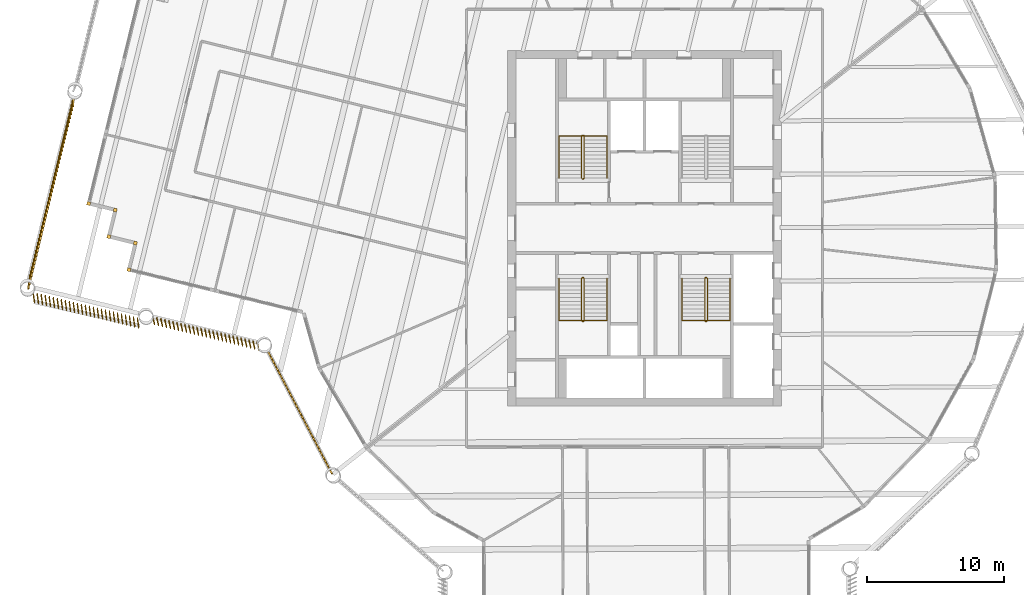
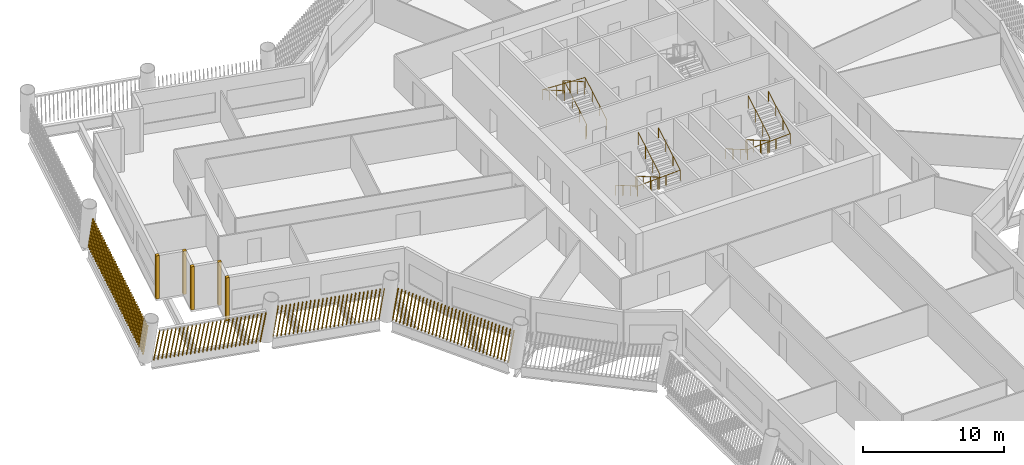
# One storey, part 12 of 15: 9 shading devices, 6 railings.
"""IFC4 building model written with IfcOpenShell, lengths in metres."""

from ifc_helpers import new_model, si_unit, direction, frame, frame_2d, origin, origin_2d, place, context, subcontext, project, spatial, rectangle, circle, composite_profile, extrude, material, type_object, element, save


model = new_model("IFC4")

# Units and contexts
model_context = context("Model", 3, precision=1e-05, world=origin(), true_north=direction((0.0, 1.0)))
body_context = subcontext(model_context, "Body", "Model", "MODEL_VIEW")
ifc_project = project(units=[si_unit("LENGTHUNIT", "METRE"), si_unit("AREAUNIT", "SQUARE_METRE"), si_unit("VOLUMEUNIT", "CUBIC_METRE"), si_unit("PLANEANGLEUNIT", "RADIAN"), si_unit("MASSUNIT", "GRAM", prefix="KILO")], contexts=[model_context])

# Site, building, storey
site_placement = place(None, origin())
site = spatial("IfcSite", under=ifc_project, at=site_placement, CompositionType="ELEMENT")
building_placement = place(site_placement, origin())
building = spatial("IfcBuilding", under=site, at=building_placement, Name="Tarsis Ring Headquarters", CompositionType="ELEMENT")
storey_placement = place(building_placement, frame((0.0, 0.0, 227.699951171875)))
storey = spatial("IfcBuildingStorey", under=building, at=storey_placement, Name="L53", CompositionType="ELEMENT", Elevation=227.699951171875)

# Railings
ifc_material_1 = material(Name="Steel S355", Category="steel")
railing_type_1 = type_object("IfcRailingType", Name="Core stair guard 1100", PredefinedType="GUARDRAIL", material=ifc_material_1)
railing_1_placement = place(storey_placement, frame((-4.5400390625, 3.610107421875, 0.0)))
element("IfcRailing", 1, at=railing_1_placement, inside=storey, type_object=railing_type_1, Name="L53 ST1 stair guard 1", PredefinedType="GUARDRAIL", context=body_context, shape_type="SweptSolid", body=[
    extrude(circle(Radius=0.02392578125, at=origin_2d()), frame((0.0, 0.0, 1.076171875), z_axis=(1.0, 0.0, 0.0), x_axis=(0.0, 1.0, 0.0)), (0.0, 0.0, 1.0), 0.080078125),
    extrude(circle(Radius=0.02392578125, at=origin_2d()), frame((0.080078125, 0.0, 1.076171875), z_axis=(0.282336740067, 0.280959487676, 0.917250092119), x_axis=(-0.705375805398, 0.708833529934, 0.0)), (0.0, 0.0, 1.0), 0.17724609375),
    extrude(circle(Radius=0.02392578125, at=origin_2d()), frame((0.130126953125, 0.0498046875, 1.23876953125), z_axis=(0.0, 0.864920483161, 0.501908913857), x_axis=(-1.0, 0.0, 0.0)), (0.0, 0.0, 1.0), 3.56103515625),
    extrude(circle(Radius=0.02392578125, at=origin_2d()), frame((0.130126953125, 3.1298828125, 3.02587890625), z_axis=(-0.707106781187, 0.707106781187, 0.0), x_axis=(-0.707106781187, -0.707106781187, 0.0)), (0.0, 0.0, 1.0), 0.07080078125),
    extrude(circle(Radius=0.02392578125, at=origin_2d()), frame((0.080078125, 3.179931640625, 3.02587890625), z_axis=(-1.0, 0.0, 0.0), x_axis=(0.0, -1.0, 0.0)), (0.0, 0.0, 1.0), 0.080078125),
    extrude(circle(Radius=0.02392578125, at=origin_2d()), frame((0.0, 3.179931640625, 3.02587890625), z_axis=(-0.282227285176, -0.282227285176, 0.916894497205), x_axis=(0.707106781187, -0.707106781187, 0.0)), (0.0, 0.0, 1.0), 0.17724609375),
    extrude(circle(Radius=0.02392578125, at=origin_2d()), frame((-0.050048828125, 3.1298828125, 3.1884765625), z_axis=(0.0, -0.864890721111, 0.501960198159), x_axis=(1.0, 0.0, 0.0)), (0.0, 0.0, 1.0), 3.561279296875),
    extrude(circle(Radius=0.02099609375, at=origin_2d()), origin(), (0.0, 0.0, 1.0), 1.052001953125),
    extrude(circle(Radius=0.02099609375, at=origin_2d()), frame((0.080078125, 0.0, 0.0)), (0.0, 0.0, 1.0), 1.052001953125),
    extrude(circle(Radius=0.02099609375, at=origin_2d()), frame((0.130126953125, 0.0498046875, 0.16259765625)), (0.0, 0.0, 1.0), 1.052001953125),
    extrude(circle(Radius=0.02099609375, at=origin_2d()), frame((0.130126953125, 1.076416015625, 0.75830078125)), (0.0, 0.0, 1.0), 1.052001953125),
    extrude(circle(Radius=0.02099609375, at=origin_2d()), frame((0.130126953125, 2.103271484375, 1.354248046875)), (0.0, 0.0, 1.0), 1.052001953125),
    extrude(circle(Radius=0.02099609375, at=origin_2d()), frame((0.130126953125, 3.1298828125, 1.949951171875)), (0.0, 0.0, 1.0), 1.052001953125),
    extrude(circle(Radius=0.02099609375, at=origin_2d()), frame((0.080078125, 3.179931640625, 1.949951171875)), (0.0, 0.0, 1.0), 1.052001953125),
    extrude(circle(Radius=0.02099609375, at=origin_2d()), frame((0.0, 3.179931640625, 1.949951171875)), (0.0, 0.0, 1.0), 1.052001953125),
    extrude(circle(Radius=0.02099609375, at=origin_2d()), frame((-0.050048828125, 3.1298828125, 2.112548828125)), (0.0, 0.0, 1.0), 1.052001953125),
    extrude(circle(Radius=0.02099609375, at=origin_2d()), frame((-0.050048828125, 2.103271484375, 2.70849609375)), (0.0, 0.0, 1.0), 1.052001953125),
    extrude(circle(Radius=0.02099609375, at=origin_2d()), frame((-0.050048828125, 1.076416015625, 3.30419921875)), (0.0, 0.0, 1.0), 1.052001953125),
    extrude(circle(Radius=0.02099609375, at=origin_2d()), frame((-0.050048828125, 0.0498046875, 3.900146484375)), (0.0, 0.0, 1.0), 1.052001953125),
])
railing_2_placement = place(storey_placement, frame((-4.4599609375, -3.610107421875, 0.0)))
element("IfcRailing", 2, at=railing_2_placement, inside=storey, type_object=railing_type_1, Name="L53 ST3 stair guard 1", PredefinedType="GUARDRAIL", context=body_context, shape_type="SweptSolid", body=[
    extrude(circle(Radius=0.02392578125, at=origin_2d()), frame((0.0, 0.0, 1.076171875), z_axis=(-1.0, 0.0, 0.0), x_axis=(0.0, -1.0, 0.0)), (0.0, 0.0, 1.0), 0.080078125),
    extrude(circle(Radius=0.02392578125, at=origin_2d()), frame((-0.080078125, 0.0, 1.076171875), z_axis=(-0.282336740067, -0.280959487676, 0.917250092119), x_axis=(0.705375805398, -0.708833529934, 0.0)), (0.0, 0.0, 1.0), 0.17724609375),
    extrude(circle(Radius=0.02392578125, at=origin_2d()), frame((-0.130126953125, -0.0498046875, 1.23876953125), z_axis=(0.0, -0.864920483161, 0.501908913857), x_axis=(1.0, 0.0, 0.0)), (0.0, 0.0, 1.0), 3.56103515625),
    extrude(circle(Radius=0.02392578125, at=origin_2d()), frame((-0.130126953125, -3.1298828125, 3.02587890625), z_axis=(0.707106781187, -0.707106781187, 0.0), x_axis=(0.707106781187, 0.707106781187, 0.0)), (0.0, 0.0, 1.0), 0.07080078125),
    extrude(circle(Radius=0.02392578125, at=origin_2d()), frame((-0.080078125, -3.179931640625, 3.02587890625), z_axis=(1.0, 0.0, 0.0), x_axis=(0.0, 1.0, 0.0)), (0.0, 0.0, 1.0), 0.080078125),
    extrude(circle(Radius=0.02392578125, at=origin_2d()), frame((0.0, -3.179931640625, 3.02587890625), z_axis=(0.282227285176, 0.282227285176, 0.916894497205), x_axis=(-0.707106781187, 0.707106781187, 0.0)), (0.0, 0.0, 1.0), 0.17724609375),
    extrude(circle(Radius=0.02392578125, at=origin_2d()), frame((0.050048828125, -3.1298828125, 3.1884765625), z_axis=(0.0, 0.864890721111, 0.501960198159), x_axis=(-1.0, 0.0, 0.0)), (0.0, 0.0, 1.0), 3.561279296875),
    extrude(circle(Radius=0.02099609375, at=origin_2d()), origin(), (0.0, 0.0, 1.0), 1.052001953125),
    extrude(circle(Radius=0.02099609375, at=origin_2d()), frame((-0.080078125, 0.0, 0.0)), (0.0, 0.0, 1.0), 1.052001953125),
    extrude(circle(Radius=0.02099609375, at=origin_2d()), frame((-0.130126953125, -0.0498046875, 0.16259765625)), (0.0, 0.0, 1.0), 1.052001953125),
    extrude(circle(Radius=0.02099609375, at=origin_2d()), frame((-0.130126953125, -1.076416015625, 0.75830078125)), (0.0, 0.0, 1.0), 1.052001953125),
    extrude(circle(Radius=0.02099609375, at=origin_2d()), frame((-0.130126953125, -2.103271484375, 1.354248046875)), (0.0, 0.0, 1.0), 1.052001953125),
    extrude(circle(Radius=0.02099609375, at=origin_2d()), frame((-0.130126953125, -3.1298828125, 1.949951171875)), (0.0, 0.0, 1.0), 1.052001953125),
    extrude(circle(Radius=0.02099609375, at=origin_2d()), frame((-0.080078125, -3.179931640625, 1.949951171875)), (0.0, 0.0, 1.0), 1.052001953125),
    extrude(circle(Radius=0.02099609375, at=origin_2d()), frame((0.0, -3.179931640625, 1.949951171875)), (0.0, 0.0, 1.0), 1.052001953125),
    extrude(circle(Radius=0.02099609375, at=origin_2d()), frame((0.050048828125, -3.1298828125, 2.112548828125)), (0.0, 0.0, 1.0), 1.052001953125),
    extrude(circle(Radius=0.02099609375, at=origin_2d()), frame((0.050048828125, -2.103271484375, 2.70849609375)), (0.0, 0.0, 1.0), 1.052001953125),
    extrude(circle(Radius=0.02099609375, at=origin_2d()), frame((0.050048828125, -1.076416015625, 3.30419921875)), (0.0, 0.0, 1.0), 1.052001953125),
    extrude(circle(Radius=0.02099609375, at=origin_2d()), frame((0.050048828125, -0.0498046875, 3.900146484375)), (0.0, 0.0, 1.0), 1.052001953125),
])
railing_3_placement = place(storey_placement, frame((4.5400390625, -3.610107421875, 0.0)))
element("IfcRailing", 3, at=railing_3_placement, inside=storey, type_object=railing_type_1, Name="L53 ST4 stair guard 1", PredefinedType="GUARDRAIL", context=body_context, shape_type="SweptSolid", body=[
    extrude(circle(Radius=0.02392578125, at=origin_2d()), frame((0.0, 0.0, 1.076171875), z_axis=(-1.0, 0.0, 0.0), x_axis=(0.0, -1.0, 0.0)), (0.0, 0.0, 1.0), 0.080078125),
    extrude(circle(Radius=0.02392578125, at=origin_2d()), frame((-0.080078125, 0.0, 1.076171875), z_axis=(-0.282336740067, -0.280959487676, 0.917250092119), x_axis=(0.705375805398, -0.708833529934, 0.0)), (0.0, 0.0, 1.0), 0.17724609375),
    extrude(circle(Radius=0.02392578125, at=origin_2d()), frame((-0.130126953125, -0.0498046875, 1.23876953125), z_axis=(0.0, -0.864920483161, 0.501908913857), x_axis=(1.0, 0.0, 0.0)), (0.0, 0.0, 1.0), 3.56103515625),
    extrude(circle(Radius=0.02392578125, at=origin_2d()), frame((-0.130126953125, -3.1298828125, 3.02587890625), z_axis=(0.707106781187, -0.707106781187, 0.0), x_axis=(0.707106781187, 0.707106781187, 0.0)), (0.0, 0.0, 1.0), 0.07080078125),
    extrude(circle(Radius=0.02392578125, at=origin_2d()), frame((-0.080078125, -3.179931640625, 3.02587890625), z_axis=(1.0, 0.0, 0.0), x_axis=(0.0, 1.0, 0.0)), (0.0, 0.0, 1.0), 0.080078125),
    extrude(circle(Radius=0.02392578125, at=origin_2d()), frame((0.0, -3.179931640625, 3.02587890625), z_axis=(0.282227285176, 0.282227285176, 0.916894497205), x_axis=(-0.707106781187, 0.707106781187, 0.0)), (0.0, 0.0, 1.0), 0.17724609375),
    extrude(circle(Radius=0.02392578125, at=origin_2d()), frame((0.050048828125, -3.1298828125, 3.1884765625), z_axis=(0.0, 0.864890721111, 0.501960198159), x_axis=(-1.0, 0.0, 0.0)), (0.0, 0.0, 1.0), 3.561279296875),
    extrude(circle(Radius=0.02099609375, at=origin_2d()), origin(), (0.0, 0.0, 1.0), 1.052001953125),
    extrude(circle(Radius=0.02099609375, at=origin_2d()), frame((-0.080078125, 0.0, 0.0)), (0.0, 0.0, 1.0), 1.052001953125),
    extrude(circle(Radius=0.02099609375, at=origin_2d()), frame((-0.130126953125, -0.0498046875, 0.16259765625)), (0.0, 0.0, 1.0), 1.052001953125),
    extrude(circle(Radius=0.02099609375, at=origin_2d()), frame((-0.130126953125, -1.076416015625, 0.75830078125)), (0.0, 0.0, 1.0), 1.052001953125),
    extrude(circle(Radius=0.02099609375, at=origin_2d()), frame((-0.130126953125, -2.103271484375, 1.354248046875)), (0.0, 0.0, 1.0), 1.052001953125),
    extrude(circle(Radius=0.02099609375, at=origin_2d()), frame((-0.130126953125, -3.1298828125, 1.949951171875)), (0.0, 0.0, 1.0), 1.052001953125),
    extrude(circle(Radius=0.02099609375, at=origin_2d()), frame((-0.080078125, -3.179931640625, 1.949951171875)), (0.0, 0.0, 1.0), 1.052001953125),
    extrude(circle(Radius=0.02099609375, at=origin_2d()), frame((0.0, -3.179931640625, 1.949951171875)), (0.0, 0.0, 1.0), 1.052001953125),
    extrude(circle(Radius=0.02099609375, at=origin_2d()), frame((0.050048828125, -3.1298828125, 2.112548828125)), (0.0, 0.0, 1.0), 1.052001953125),
    extrude(circle(Radius=0.02099609375, at=origin_2d()), frame((0.050048828125, -2.103271484375, 2.70849609375)), (0.0, 0.0, 1.0), 1.052001953125),
    extrude(circle(Radius=0.02099609375, at=origin_2d()), frame((0.050048828125, -1.076416015625, 3.30419921875)), (0.0, 0.0, 1.0), 1.052001953125),
    extrude(circle(Radius=0.02099609375, at=origin_2d()), frame((0.050048828125, -0.0498046875, 3.900146484375)), (0.0, 0.0, 1.0), 1.052001953125),
])
railing_type_2 = type_object("IfcRailingType", Name="Core stair handrail 900", PredefinedType="HANDRAIL", material=ifc_material_1)
railing_4_placement = place(storey_placement, frame((-2.75, 3.659912109375, 0.16259765625)))
element("IfcRailing", 4, at=railing_4_placement, inside=storey, type_object=railing_type_2, Name="L53 ST1 stair handrail 1", PredefinedType="HANDRAIL", context=body_context, shape_type="SweptSolid", body=[
    extrude(circle(Radius=0.02392578125, at=origin_2d()), frame((0.0, 0.0, 0.8759765625), z_axis=(0.0, 0.864920483161, 0.501908913857), x_axis=(-1.0, 0.0, 0.0)), (0.0, 0.0, 1.0), 3.56103515625),
    extrude(circle(Radius=0.02392578125, at=origin_2d()), frame((0.0, 3.080078125, 2.6630859375), z_axis=(-0.998922641604, 0.0, 0.046406422943), x_axis=(0.0, -1.0, 0.0)), (0.0, 0.0, 1.0), 3.503662109375),
    extrude(circle(Radius=0.02392578125, at=origin_2d()), frame((-3.5, 3.080078125, 2.82568359375), z_axis=(0.0, -0.864890721111, 0.501960198159), x_axis=(1.0, 0.0, 0.0)), (0.0, 0.0, 1.0), 3.561279296875),
    extrude(circle(Radius=0.02099609375, at=origin_2d()), origin(), (0.0, 0.0, 1.0), 0.851806640625),
    extrude(circle(Radius=0.02099609375, at=origin_2d()), frame((0.0, 1.026611328125, 0.595703125)), (0.0, 0.0, 1.0), 0.851806640625),
    extrude(circle(Radius=0.02099609375, at=origin_2d()), frame((0.0, 2.053466796875, 1.191650390625)), (0.0, 0.0, 1.0), 0.851806640625),
    extrude(circle(Radius=0.02099609375, at=origin_2d()), frame((0.0, 3.080078125, 1.787353515625)), (0.0, 0.0, 1.0), 0.851806640625),
    extrude(circle(Radius=0.02099609375, at=origin_2d()), frame((-1.166748046875, 3.080078125, 1.841552734375)), (0.0, 0.0, 1.0), 0.851806640625),
    extrude(circle(Radius=0.02099609375, at=origin_2d()), frame((-2.333251953125, 3.080078125, 1.895751953125)), (0.0, 0.0, 1.0), 0.851806640625),
    extrude(circle(Radius=0.02099609375, at=origin_2d()), frame((-3.5, 3.080078125, 1.949951171875)), (0.0, 0.0, 1.0), 0.851806640625),
    extrude(circle(Radius=0.02099609375, at=origin_2d()), frame((-3.5, 2.053466796875, 2.5458984375)), (0.0, 0.0, 1.0), 0.851806640625),
    extrude(circle(Radius=0.02099609375, at=origin_2d()), frame((-3.5, 1.026611328125, 3.1416015625)), (0.0, 0.0, 1.0), 0.851806640625),
    extrude(circle(Radius=0.02099609375, at=origin_2d()), frame((-3.5, 0.0, 3.737548828125)), (0.0, 0.0, 1.0), 0.851806640625),
])
railing_5_placement = place(storey_placement, frame((-6.25, -3.659912109375, 0.16259765625)))
element("IfcRailing", 5, at=railing_5_placement, inside=storey, type_object=railing_type_2, Name="L53 ST3 stair handrail 1", PredefinedType="HANDRAIL", context=body_context, shape_type="SweptSolid", body=[
    extrude(circle(Radius=0.02392578125, at=origin_2d()), frame((0.0, 0.0, 0.8759765625), z_axis=(0.0, -0.864920483161, 0.501908913857), x_axis=(1.0, 0.0, 0.0)), (0.0, 0.0, 1.0), 3.56103515625),
    extrude(circle(Radius=0.02392578125, at=origin_2d()), frame((0.0, -3.080078125, 2.6630859375), z_axis=(0.998922641604, 0.0, 0.046406422943), x_axis=(0.0, 1.0, 0.0)), (0.0, 0.0, 1.0), 3.503662109375),
    extrude(circle(Radius=0.02392578125, at=origin_2d()), frame((3.5, -3.080078125, 2.82568359375), z_axis=(0.0, 0.864890721111, 0.501960198159), x_axis=(-1.0, 0.0, 0.0)), (0.0, 0.0, 1.0), 3.561279296875),
    extrude(circle(Radius=0.02099609375, at=origin_2d()), origin(), (0.0, 0.0, 1.0), 0.851806640625),
    extrude(circle(Radius=0.02099609375, at=origin_2d()), frame((0.0, -1.026611328125, 0.595703125)), (0.0, 0.0, 1.0), 0.851806640625),
    extrude(circle(Radius=0.02099609375, at=origin_2d()), frame((0.0, -2.053466796875, 1.191650390625)), (0.0, 0.0, 1.0), 0.851806640625),
    extrude(circle(Radius=0.02099609375, at=origin_2d()), frame((0.0, -3.080078125, 1.787353515625)), (0.0, 0.0, 1.0), 0.851806640625),
    extrude(circle(Radius=0.02099609375, at=origin_2d()), frame((1.166748046875, -3.080078125, 1.841552734375)), (0.0, 0.0, 1.0), 0.851806640625),
    extrude(circle(Radius=0.02099609375, at=origin_2d()), frame((2.333251953125, -3.080078125, 1.895751953125)), (0.0, 0.0, 1.0), 0.851806640625),
    extrude(circle(Radius=0.02099609375, at=origin_2d()), frame((3.5, -3.080078125, 1.949951171875)), (0.0, 0.0, 1.0), 0.851806640625),
    extrude(circle(Radius=0.02099609375, at=origin_2d()), frame((3.5, -2.053466796875, 2.5458984375)), (0.0, 0.0, 1.0), 0.851806640625),
    extrude(circle(Radius=0.02099609375, at=origin_2d()), frame((3.5, -1.026611328125, 3.1416015625)), (0.0, 0.0, 1.0), 0.851806640625),
    extrude(circle(Radius=0.02099609375, at=origin_2d()), frame((3.5, 0.0, 3.737548828125)), (0.0, 0.0, 1.0), 0.851806640625),
])
railing_6_placement = place(storey_placement, frame((2.75, -3.659912109375, 0.16259765625)))
element("IfcRailing", 6, at=railing_6_placement, inside=storey, type_object=railing_type_2, Name="L53 ST4 stair handrail 1", PredefinedType="HANDRAIL", context=body_context, shape_type="SweptSolid", body=[
    extrude(circle(Radius=0.02392578125, at=origin_2d()), frame((0.0, 0.0, 0.8759765625), z_axis=(0.0, -0.864920483161, 0.501908913857), x_axis=(1.0, 0.0, 0.0)), (0.0, 0.0, 1.0), 3.56103515625),
    extrude(circle(Radius=0.02392578125, at=origin_2d()), frame((0.0, -3.080078125, 2.6630859375), z_axis=(0.998922641604, 0.0, 0.046406422943), x_axis=(0.0, 1.0, 0.0)), (0.0, 0.0, 1.0), 3.503662109375),
    extrude(circle(Radius=0.02392578125, at=origin_2d()), frame((3.5, -3.080078125, 2.82568359375), z_axis=(0.0, 0.864890721111, 0.501960198159), x_axis=(-1.0, 0.0, 0.0)), (0.0, 0.0, 1.0), 3.561279296875),
    extrude(circle(Radius=0.02099609375, at=origin_2d()), origin(), (0.0, 0.0, 1.0), 0.851806640625),
    extrude(circle(Radius=0.02099609375, at=origin_2d()), frame((0.0, -1.026611328125, 0.595703125)), (0.0, 0.0, 1.0), 0.851806640625),
    extrude(circle(Radius=0.02099609375, at=origin_2d()), frame((0.0, -2.053466796875, 1.191650390625)), (0.0, 0.0, 1.0), 0.851806640625),
    extrude(circle(Radius=0.02099609375, at=origin_2d()), frame((0.0, -3.080078125, 1.787353515625)), (0.0, 0.0, 1.0), 0.851806640625),
    extrude(circle(Radius=0.02099609375, at=origin_2d()), frame((1.166748046875, -3.080078125, 1.841552734375)), (0.0, 0.0, 1.0), 0.851806640625),
    extrude(circle(Radius=0.02099609375, at=origin_2d()), frame((2.333251953125, -3.080078125, 1.895751953125)), (0.0, 0.0, 1.0), 0.851806640625),
    extrude(circle(Radius=0.02099609375, at=origin_2d()), frame((3.5, -3.080078125, 1.949951171875)), (0.0, 0.0, 1.0), 0.851806640625),
    extrude(circle(Radius=0.02099609375, at=origin_2d()), frame((3.5, -2.053466796875, 2.5458984375)), (0.0, 0.0, 1.0), 0.851806640625),
    extrude(circle(Radius=0.02099609375, at=origin_2d()), frame((3.5, -1.026611328125, 3.1416015625)), (0.0, 0.0, 1.0), 0.851806640625),
    extrude(circle(Radius=0.02099609375, at=origin_2d()), frame((3.5, 0.0, 3.737548828125)), (0.0, 0.0, 1.0), 0.851806640625),
])

# Shading devices
ifc_material_2 = material(Name="Terracotta baguette", Category="masonry")
shading_device_type_1 = type_object("IfcShadingDeviceType", Name="Terracotta baguette screen", PredefinedType="USERDEFINED", material=ifc_material_2)
shading_device_1_placement = place(storey_placement, frame((-41.697265625, 9.66552734375, 0.0), z_axis=(0.0, 0.0, 1.0), x_axis=(-0.23718708536, -0.971463954003, 0.0)))
element("IfcShadingDevice", 7, at=shading_device_1_placement, inside=storey, type_object=shading_device_type_1, Name="Baguette screen L53-18", ObjectType="Terracotta baguette screen", PredefinedType="USERDEFINED", context=body_context, shape_type="SweptSolid", body=[
    extrude(composite_profile([rectangle(XDim=0.06005859375, YDim=0.1201171875, at=frame_2d((0.030029296875, 0.0))), rectangle(XDim=0.06005859375, YDim=0.1201171875, at=frame_2d((0.33544921875, 0.0))), rectangle(XDim=0.06005859375, YDim=0.1201171875, at=frame_2d((0.640625, 0.0))), rectangle(XDim=0.06005859375, YDim=0.1201171875, at=frame_2d((0.946044921875, 0.0))), rectangle(XDim=0.06005859375, YDim=0.1201171875, at=frame_2d((1.25146484375, 0.0))), rectangle(XDim=0.06005859375, YDim=0.1201171875, at=frame_2d((1.556640625, 0.0))), rectangle(XDim=0.06005859375, YDim=0.1201171875, at=frame_2d((1.862060546875, 0.0))), rectangle(XDim=0.06005859375, YDim=0.1201171875, at=frame_2d((2.16748046875, 0.0))), rectangle(XDim=0.06005859375, YDim=0.1201171875, at=frame_2d((2.47265625, 0.0))), rectangle(XDim=0.06005859375, YDim=0.1201171875, at=frame_2d((2.778076171875, 0.0))), rectangle(XDim=0.06005859375, YDim=0.1201171875, at=frame_2d((3.08349609375, 0.0))), rectangle(XDim=0.06005859375, YDim=0.1201171875, at=frame_2d((3.388671875, 0.0))), rectangle(XDim=0.06005859375, YDim=0.1201171875, at=frame_2d((3.694091796875, 0.0))), rectangle(XDim=0.06005859375, YDim=0.1201171875, at=frame_2d((3.99951171875, 0.0))), rectangle(XDim=0.06005859375, YDim=0.1201171875, at=frame_2d((4.3046875, 0.0))), rectangle(XDim=0.06005859375, YDim=0.1201171875, at=frame_2d((4.610107421875, 0.0))), rectangle(XDim=0.06005859375, YDim=0.1201171875, at=frame_2d((4.91552734375, 0.0))), rectangle(XDim=0.06005859375, YDim=0.1201171875, at=frame_2d((5.220703125, 0.0))), rectangle(XDim=0.06005859375, YDim=0.1201171875, at=frame_2d((5.526123046875, 0.0))), rectangle(XDim=0.06005859375, YDim=0.1201171875, at=frame_2d((5.83154296875, 0.0))), rectangle(XDim=0.06005859375, YDim=0.1201171875, at=frame_2d((6.13671875, 0.0))), rectangle(XDim=0.06005859375, YDim=0.1201171875, at=frame_2d((6.442138671875, 0.0))), rectangle(XDim=0.06005859375, YDim=0.1201171875, at=frame_2d((6.74755859375, 0.0))), rectangle(XDim=0.06005859375, YDim=0.1201171875, at=frame_2d((7.052734375, 0.0))), rectangle(XDim=0.06005859375, YDim=0.1201171875, at=frame_2d((7.358154296875, 0.0))), rectangle(XDim=0.06005859375, YDim=0.1201171875, at=frame_2d((7.66357421875, 0.0))), rectangle(XDim=0.06005859375, YDim=0.1201171875, at=frame_2d((7.96875, 0.0))), rectangle(XDim=0.06005859375, YDim=0.1201171875, at=frame_2d((8.274169921875, 0.0))), rectangle(XDim=0.06005859375, YDim=0.1201171875, at=frame_2d((8.57958984375, 0.0))), rectangle(XDim=0.06005859375, YDim=0.1201171875, at=frame_2d((8.884765625, 0.0))), rectangle(XDim=0.06005859375, YDim=0.1201171875, at=frame_2d((9.190185546875, 0.0))), rectangle(XDim=0.06005859375, YDim=0.1201171875, at=frame_2d((9.49560546875, 0.0))), rectangle(XDim=0.06005859375, YDim=0.1201171875, at=frame_2d((9.80078125, 0.0))), rectangle(XDim=0.06005859375, YDim=0.1201171875, at=frame_2d((10.106201171875, 0.0))), rectangle(XDim=0.06005859375, YDim=0.1201171875, at=frame_2d((10.41162109375, 0.0))), rectangle(XDim=0.06005859375, YDim=0.1201171875, at=frame_2d((10.716796875, 0.0))), rectangle(XDim=0.06005859375, YDim=0.1201171875, at=frame_2d((11.022216796875, 0.0))), rectangle(XDim=0.06005859375, YDim=0.1201171875, at=frame_2d((11.32763671875, 0.0))), rectangle(XDim=0.06005859375, YDim=0.1201171875, at=frame_2d((11.6328125, 0.0))), rectangle(XDim=0.06005859375, YDim=0.1201171875, at=frame_2d((11.938232421875, 0.0))), rectangle(XDim=0.06005859375, YDim=0.1201171875, at=frame_2d((12.24365234375, 0.0))), rectangle(XDim=0.06005859375, YDim=0.1201171875, at=frame_2d((12.548828125, 0.0))), rectangle(XDim=0.06005859375, YDim=0.1201171875, at=frame_2d((12.854248046875, 0.0))), rectangle(XDim=0.06005859375, YDim=0.1201171875, at=frame_2d((13.15966796875, 0.0))), rectangle(XDim=0.06005859375, YDim=0.1201171875, at=frame_2d((13.46484375, 0.0))), rectangle(XDim=0.06005859375, YDim=0.1201171875, at=frame_2d((13.770263671875, 0.0)))]), origin(), (0.23566619149, 0.042784649458, 0.970891816815), 3.038330078125),
])
shading_device_2_placement = place(storey_placement, frame((-44.692138671875, -4.70947265625, 0.0), z_axis=(0.0, 0.0, 1.0), x_axis=(0.971453287197, -0.237178695007, 0.0)))
element("IfcShadingDevice", 8, at=shading_device_2_placement, inside=storey, type_object=shading_device_type_1, Name="Baguette screen L53-19", ObjectType="Terracotta baguette screen", PredefinedType="USERDEFINED", context=body_context, shape_type="SweptSolid", body=[
    extrude(composite_profile([rectangle(XDim=0.06005859375, YDim=0.1201171875, at=frame_2d((0.030029296875, 0.0))), rectangle(XDim=0.06005859375, YDim=0.1201171875, at=frame_2d((0.33154296875, 0.0))), rectangle(XDim=0.06005859375, YDim=0.1201171875, at=frame_2d((0.63330078125, 0.0))), rectangle(XDim=0.06005859375, YDim=0.1201171875, at=frame_2d((0.934814453125, 0.0))), rectangle(XDim=0.06005859375, YDim=0.1201171875, at=frame_2d((1.236572265625, 0.0))), rectangle(XDim=0.06005859375, YDim=0.1201171875, at=frame_2d((1.5380859375, 0.0))), rectangle(XDim=0.06005859375, YDim=0.1201171875, at=frame_2d((1.83984375, 0.0))), rectangle(XDim=0.06005859375, YDim=0.1201171875, at=frame_2d((2.141357421875, 0.0))), rectangle(XDim=0.06005859375, YDim=0.1201171875, at=frame_2d((2.443115234375, 0.0))), rectangle(XDim=0.06005859375, YDim=0.1201171875, at=frame_2d((2.74462890625, 0.0))), rectangle(XDim=0.06005859375, YDim=0.1201171875, at=frame_2d((3.04638671875, 0.0))), rectangle(XDim=0.06005859375, YDim=0.1201171875, at=frame_2d((3.347900390625, 0.0))), rectangle(XDim=0.06005859375, YDim=0.1201171875, at=frame_2d((3.649658203125, 0.0))), rectangle(XDim=0.06005859375, YDim=0.1201171875, at=frame_2d((3.951171875, 0.0))), rectangle(XDim=0.06005859375, YDim=0.1201171875, at=frame_2d((4.252685546875, 0.0))), rectangle(XDim=0.06005859375, YDim=0.1201171875, at=frame_2d((4.554443359375, 0.0))), rectangle(XDim=0.06005859375, YDim=0.1201171875, at=frame_2d((4.85595703125, 0.0))), rectangle(XDim=0.06005859375, YDim=0.1201171875, at=frame_2d((5.15771484375, 0.0))), rectangle(XDim=0.06005859375, YDim=0.1201171875, at=frame_2d((5.459228515625, 0.0))), rectangle(XDim=0.06005859375, YDim=0.1201171875, at=frame_2d((5.760986328125, 0.0))), rectangle(XDim=0.06005859375, YDim=0.1201171875, at=frame_2d((6.0625, 0.0))), rectangle(XDim=0.06005859375, YDim=0.1201171875, at=frame_2d((6.3642578125, 0.0))), rectangle(XDim=0.06005859375, YDim=0.1201171875, at=frame_2d((6.665771484375, 0.0))), rectangle(XDim=0.06005859375, YDim=0.1201171875, at=frame_2d((6.967529296875, 0.0))), rectangle(XDim=0.06005859375, YDim=0.1201171875, at=frame_2d((7.26904296875, 0.0))), rectangle(XDim=0.06005859375, YDim=0.1201171875, at=frame_2d((7.57080078125, 0.0))), rectangle(XDim=0.06005859375, YDim=0.1201171875, at=frame_2d((7.872314453125, 0.0)))]), origin(), (0.085692052185, -0.21135804468, 0.973645032412), 3.02978515625),
])
shading_device_3_placement = place(storey_placement, frame((-35.955078125, -6.45654296875, 0.0), z_axis=(0.0, 0.0, 1.0), x_axis=(0.971453287197, -0.237178695007, 0.0)))
element("IfcShadingDevice", 9, at=shading_device_3_placement, inside=storey, type_object=shading_device_type_1, Name="Baguette screen L53-20", ObjectType="Terracotta baguette screen", PredefinedType="USERDEFINED", context=body_context, shape_type="SweptSolid", body=[
    extrude(composite_profile([rectangle(XDim=0.06005859375, YDim=0.1201171875, at=frame_2d((0.030029296875, 0.0))), rectangle(XDim=0.06005859375, YDim=0.1201171875, at=frame_2d((0.33154296875, 0.0))), rectangle(XDim=0.06005859375, YDim=0.1201171875, at=frame_2d((0.63330078125, 0.0))), rectangle(XDim=0.06005859375, YDim=0.1201171875, at=frame_2d((0.934814453125, 0.0))), rectangle(XDim=0.06005859375, YDim=0.1201171875, at=frame_2d((1.236572265625, 0.0))), rectangle(XDim=0.06005859375, YDim=0.1201171875, at=frame_2d((1.5380859375, 0.0))), rectangle(XDim=0.06005859375, YDim=0.1201171875, at=frame_2d((1.83984375, 0.0))), rectangle(XDim=0.06005859375, YDim=0.1201171875, at=frame_2d((2.141357421875, 0.0))), rectangle(XDim=0.06005859375, YDim=0.1201171875, at=frame_2d((2.443115234375, 0.0))), rectangle(XDim=0.06005859375, YDim=0.1201171875, at=frame_2d((2.74462890625, 0.0))), rectangle(XDim=0.06005859375, YDim=0.1201171875, at=frame_2d((3.04638671875, 0.0))), rectangle(XDim=0.06005859375, YDim=0.1201171875, at=frame_2d((3.347900390625, 0.0))), rectangle(XDim=0.06005859375, YDim=0.1201171875, at=frame_2d((3.649658203125, 0.0))), rectangle(XDim=0.06005859375, YDim=0.1201171875, at=frame_2d((3.951171875, 0.0))), rectangle(XDim=0.06005859375, YDim=0.1201171875, at=frame_2d((4.252685546875, 0.0))), rectangle(XDim=0.06005859375, YDim=0.1201171875, at=frame_2d((4.554443359375, 0.0))), rectangle(XDim=0.06005859375, YDim=0.1201171875, at=frame_2d((4.85595703125, 0.0))), rectangle(XDim=0.06005859375, YDim=0.1201171875, at=frame_2d((5.15771484375, 0.0))), rectangle(XDim=0.06005859375, YDim=0.1201171875, at=frame_2d((5.459228515625, 0.0))), rectangle(XDim=0.06005859375, YDim=0.1201171875, at=frame_2d((5.760986328125, 0.0))), rectangle(XDim=0.06005859375, YDim=0.1201171875, at=frame_2d((6.0625, 0.0))), rectangle(XDim=0.06005859375, YDim=0.1201171875, at=frame_2d((6.3642578125, 0.0))), rectangle(XDim=0.06005859375, YDim=0.1201171875, at=frame_2d((6.665771484375, 0.0))), rectangle(XDim=0.06005859375, YDim=0.1201171875, at=frame_2d((6.967529296875, 0.0))), rectangle(XDim=0.06005859375, YDim=0.1201171875, at=frame_2d((7.26904296875, 0.0))), rectangle(XDim=0.06005859375, YDim=0.1201171875, at=frame_2d((7.57080078125, 0.0))), rectangle(XDim=0.06005859375, YDim=0.1201171875, at=frame_2d((7.872314453125, 0.0)))]), origin(), (0.083999306421, -0.163693902557, 0.982928493221), 3.001220703125),
])
shading_device_4_placement = place(storey_placement, frame((-27.56103515625, -8.892333984375, 0.0), z_axis=(0.0, 0.0, 1.0), x_axis=(0.463235477826, -0.88624609619, 0.0)))
element("IfcShadingDevice", 10, at=shading_device_4_placement, inside=storey, type_object=shading_device_type_1, Name="Baguette screen L53-21", ObjectType="Terracotta baguette screen", PredefinedType="USERDEFINED", context=body_context, shape_type="SweptSolid", body=[
    extrude(composite_profile([rectangle(XDim=0.06005859375, YDim=0.1201171875, at=frame_2d((0.030029296875, 0.0))), rectangle(XDim=0.06005859375, YDim=0.1201171875, at=frame_2d((0.33349609375, 0.0))), rectangle(XDim=0.06005859375, YDim=0.1201171875, at=frame_2d((0.636962890625, 0.0))), rectangle(XDim=0.06005859375, YDim=0.1201171875, at=frame_2d((0.9404296875, 0.0))), rectangle(XDim=0.06005859375, YDim=0.1201171875, at=frame_2d((1.243896484375, 0.0))), rectangle(XDim=0.06005859375, YDim=0.1201171875, at=frame_2d((1.54736328125, 0.0))), rectangle(XDim=0.06005859375, YDim=0.1201171875, at=frame_2d((1.85107421875, 0.0))), rectangle(XDim=0.06005859375, YDim=0.1201171875, at=frame_2d((2.154541015625, 0.0))), rectangle(XDim=0.06005859375, YDim=0.1201171875, at=frame_2d((2.4580078125, 0.0))), rectangle(XDim=0.06005859375, YDim=0.1201171875, at=frame_2d((2.761474609375, 0.0))), rectangle(XDim=0.06005859375, YDim=0.1201171875, at=frame_2d((3.06494140625, 0.0))), rectangle(XDim=0.06005859375, YDim=0.1201171875, at=frame_2d((3.368408203125, 0.0))), rectangle(XDim=0.06005859375, YDim=0.1201171875, at=frame_2d((3.671875, 0.0))), rectangle(XDim=0.06005859375, YDim=0.1201171875, at=frame_2d((3.975341796875, 0.0))), rectangle(XDim=0.06005859375, YDim=0.1201171875, at=frame_2d((4.27880859375, 0.0))), rectangle(XDim=0.06005859375, YDim=0.1201171875, at=frame_2d((4.582275390625, 0.0))), rectangle(XDim=0.06005859375, YDim=0.1201171875, at=frame_2d((4.8857421875, 0.0))), rectangle(XDim=0.06005859375, YDim=0.1201171875, at=frame_2d((5.189453125, 0.0))), rectangle(XDim=0.06005859375, YDim=0.1201171875, at=frame_2d((5.492919921875, 0.0))), rectangle(XDim=0.06005859375, YDim=0.1201171875, at=frame_2d((5.79638671875, 0.0))), rectangle(XDim=0.06005859375, YDim=0.1201171875, at=frame_2d((6.099853515625, 0.0))), rectangle(XDim=0.06005859375, YDim=0.1201171875, at=frame_2d((6.4033203125, 0.0))), rectangle(XDim=0.06005859375, YDim=0.1201171875, at=frame_2d((6.706787109375, 0.0))), rectangle(XDim=0.06005859375, YDim=0.1201171875, at=frame_2d((7.01025390625, 0.0))), rectangle(XDim=0.06005859375, YDim=0.1201171875, at=frame_2d((7.313720703125, 0.0))), rectangle(XDim=0.06005859375, YDim=0.1201171875, at=frame_2d((7.6171875, 0.0))), rectangle(XDim=0.06005859375, YDim=0.1201171875, at=frame_2d((7.920654296875, 0.0))), rectangle(XDim=0.06005859375, YDim=0.1201171875, at=frame_2d((8.224365234375, 0.0))), rectangle(XDim=0.06005859375, YDim=0.1201171875, at=frame_2d((8.52783203125, 0.0))), rectangle(XDim=0.06005859375, YDim=0.1201171875, at=frame_2d((8.831298828125, 0.0))), rectangle(XDim=0.06005859375, YDim=0.1201171875, at=frame_2d((9.134765625, 0.0))), rectangle(XDim=0.06005859375, YDim=0.1201171875, at=frame_2d((9.438232421875, 0.0))), rectangle(XDim=0.06005859375, YDim=0.1201171875, at=frame_2d((9.74169921875, 0.0)))]), origin(), (0.160033446044, 0.001338310024, 0.98711068532), 2.988525390625),
])
shading_device_type_2 = type_object("IfcShadingDeviceType", Name="Terracotta corner baguette 250x250", PredefinedType="USERDEFINED", material=ifc_material_2)
for number, where, z_axis, x_axis, name in (
    (11, (-37.667724609375, -3.02734375, 0.0), (0.0, 0.0, 1.0), (-0.237177096697, -0.971466430096, 0.0), "Corner baguette L53-01"),
    (12, (-40.60498046875, 1.80712890625, 0.0), (0.0, 0.0, 1.0), (-0.237177232339, -0.971466396979, 0.0), "Corner baguette L53-37"),
    (13, (-38.662109375, 1.332763671875, 0.0), (0.0, 0.0, 1.0), (0.971466430096, -0.237177096697, 0.0), "Corner baguette L53-38"),
    (14, (-39.136474609375, -0.610107421875, 0.0), (0.0, 0.0, 1.0), (-0.237177452758, -0.971466343166, 0.0), "Corner baguette L53-39"),
    (15, (-37.193603515625, -1.08447265625, 0.0), (0.0, 0.0, 1.0), (0.971466343166, -0.237177452758, 0.0), "Corner baguette L53-40"),
):
    element("IfcShadingDevice", number, at=place(storey_placement, frame(where, z_axis=z_axis, x_axis=x_axis)), inside=storey, type_object=shading_device_type_2, Name=name, ObjectType="Terracotta corner baguette", PredefinedType="USERDEFINED", context=body_context, shape_type="SweptSolid", body=[
        extrude(rectangle(XDim=0.25, YDim=0.25, at=origin_2d()), origin(), (0.0, 0.0, 1.0), 3.739990234375),
    ])

save(model, "model.ifc")
